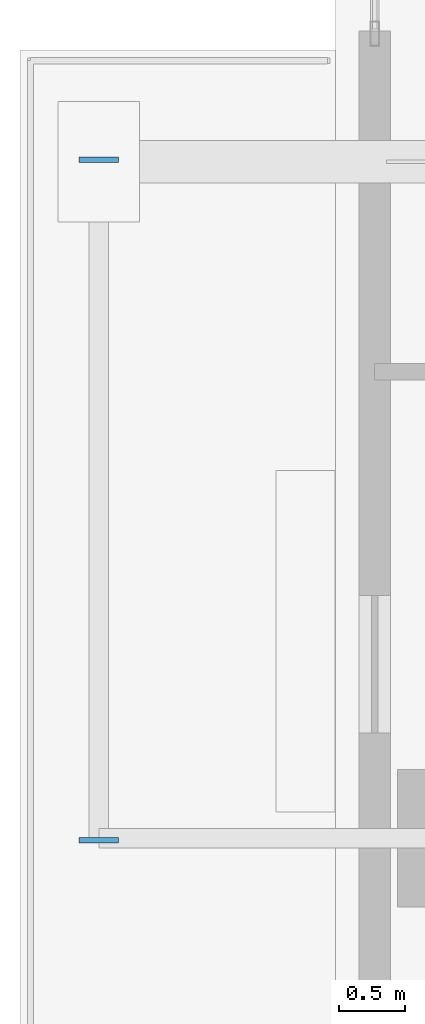
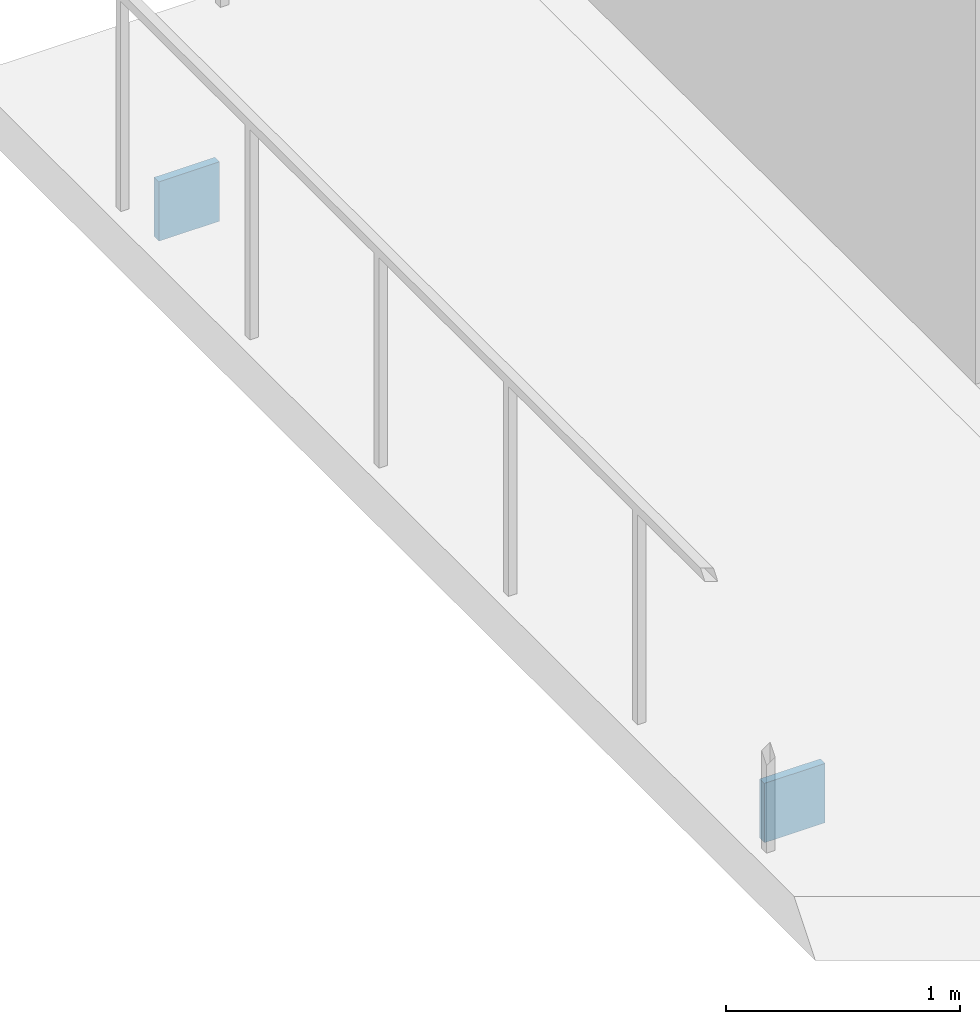
# One storey, part 18 of 25: 2 plates.
"""IFC4 building model written with IfcOpenShell, lengths in metres."""

from ifc_helpers import new_model, si_unit, direction, frame, origin, origin_2d, place, context, subcontext, project, spatial, rectangle, extrude, material, layer, layer_set, type_object, element, save


model = new_model("IFC4")

# Units and contexts
model_context = context("Model", 3, precision=1e-05, world=origin(), true_north=direction((0.0, 1.0)))
body_context = subcontext(model_context, "Body", "Model", "MODEL_VIEW")
ifc_project = project(units=[si_unit("LENGTHUNIT", "METRE"), si_unit("AREAUNIT", "SQUARE_METRE"), si_unit("VOLUMEUNIT", "CUBIC_METRE"), si_unit("PLANEANGLEUNIT", "RADIAN"), si_unit("MASSUNIT", "GRAM", prefix="KILO"), si_unit("THERMODYNAMICTEMPERATUREUNIT", "KELVIN"), si_unit("POWERUNIT", "WATT")], contexts=[model_context])

# Site, building, storey
site_placement = place(None, origin())
site = spatial("IfcSite", under=ifc_project, at=site_placement, CompositionType="ELEMENT")
building_placement = place(site_placement, origin())
building = spatial("IfcBuilding", under=site, at=building_placement, Name="Svarakhadi Broadcast Tower", CompositionType="ELEMENT")
storey_placement = place(building_placement, frame((0.0, 0.0, 212.39990234375)))
storey = spatial("IfcBuildingStorey", under=building, at=storey_placement, Name="L52", CompositionType="ELEMENT", Elevation=212.39990234375)

# Plates
ifc_material = material(Name="Steel S460ML (IS 2062 E450BR)", Category="steel")
ifc_layer = layer(ifc_material, 0.028076171875)
ifc_layer_set = layer_set([ifc_layer], Name="Steel S460ML (IS 2062 E450BR)")
plate_type = type_object("IfcPlateType", Name="Cap_Plate_CP02", PredefinedType="USERDEFINED", material=ifc_layer_set)
for number, where, z_axis, x_axis, name in (
    (1, (-1.800048828125, 23.985107421875, -0.5048828125), (0.0, 0.0, 1.0), (1.0, 0.0, 0.0), "L52 Balcony Spandrel End Cap Plate 2F-A"),
    (2, (-1.800048828125, 29.1650390625, -0.5048828125), (0.0, 0.0, 1.0), (1.0, 0.0, 0.0), "L52 Balcony Spandrel End Cap Plate 2F-B"),
):
    element("IfcPlate", number, at=place(storey_placement, frame(where, z_axis=z_axis, x_axis=x_axis)), inside=storey, type_object=plate_type, Name=name, ObjectType="FLANGE_PLATE", PredefinedType="USERDEFINED", context=body_context, shape_type="SweptSolid", body=[
        extrude(rectangle(XDim=0.300048828125, YDim=0.0400390625, at=origin_2d()), origin(), (0.0, 0.0, 1.0), 0.31005859375),
    ])

save(model, "model.ifc")
